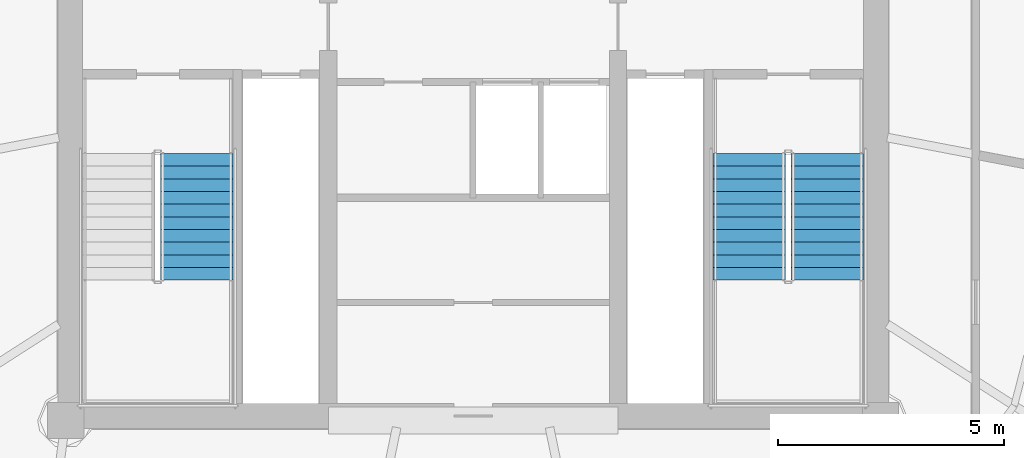
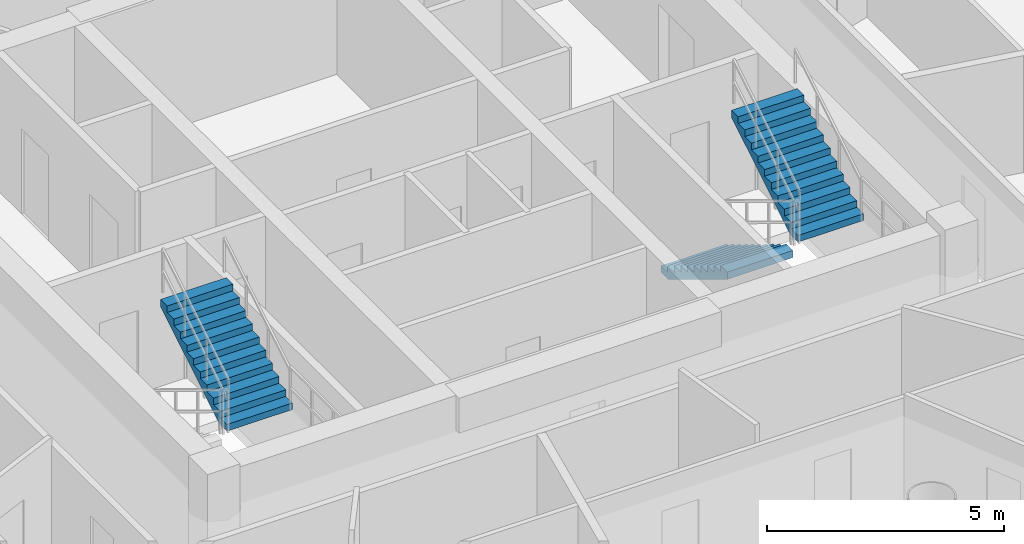
# One storey, part 20 of 23: 3 stair flights, 2 elements without a shape of their own.
"""IFC4 building model written with IfcOpenShell, lengths in metres."""

from ifc_helpers import new_model, si_unit, direction, frame, origin, place, context, subcontext, project, spatial, polyline, outline, extrude, material, type_object, element, aggregate, save


model = new_model("IFC4")

# Units and contexts
model_context = context("Model", 3, precision=1e-05, world=origin(), true_north=direction((-0.2419218956, 0.970295726276)))
body_context = subcontext(model_context, "Body", "Model", "MODEL_VIEW")
ifc_project = project(units=[si_unit("LENGTHUNIT", "METRE"), si_unit("AREAUNIT", "SQUARE_METRE"), si_unit("VOLUMEUNIT", "CUBIC_METRE"), si_unit("PLANEANGLEUNIT", "RADIAN"), si_unit("MASSUNIT", "GRAM", prefix="KILO")], contexts=[model_context])

# Site, building, storey
site_placement = place(None, origin())
site = spatial("IfcSite", under=ifc_project, at=site_placement, CompositionType="ELEMENT")
building_placement = place(site_placement, origin())
building = spatial("IfcBuilding", under=site, at=building_placement, Name="Cobrevalo Terracotta Tower", CompositionType="ELEMENT")
storey_placement = place(building_placement, frame((0.0, 0.0, 263.199951171875)))
storey = spatial("IfcBuildingStorey", under=building, at=storey_placement, Name="L69", CompositionType="ELEMENT", Elevation=263.199951171875)

# Stair, stair flight
ifc_material = material(Name="Concrete C50", Category="concrete")
stair_type = type_object("IfcStairType", Name="Core protected escape dogleg stair 1600", PredefinedType="HALF_TURN_STAIR", material=ifc_material)
stair_1_placement = place(storey_placement, origin())
stair_1 = element("IfcStair", 1, at=stair_1_placement, inside=storey, type_object=stair_type, Name="L69 Protected exit stair ST-1", PredefinedType="HALF_TURN_STAIR")
stair_flight_type = type_object("IfcStairFlightType", Name="Core protected escape dogleg stair 1600 flight", PredefinedType="STRAIGHT", material=ifc_material)
stair_flight_1_placement = place(storey_placement, frame((31.89501953125, 21.89990234375, 1.875), z_axis=(0.0, 0.0, 1.0), x_axis=(0.0, 1.0, 0.0)))
stair_flight_1 = element("IfcStairFlight", 2, at=stair_flight_1_placement, type_object=stair_flight_type, Name="ST-1 flight 2", NumberOfRisers=11, NumberOfTreads=10, PredefinedType="STRAIGHT", RiserHeight=0.170454545, TreadLength=0.28, context=body_context, shape_type="SweptSolid", body=[
    extrude(outline(polyline([(0.0, 0.0), (0.0, 0.17041015625), (0.280029296875, 0.17041015625), (0.280029296875, 0.3408203125), (0.56005859375, 0.3408203125), (0.56005859375, 0.511474609375), (0.840087890625, 0.511474609375), (0.840087890625, 0.681884765625), (1.1201171875, 0.681884765625), (1.1201171875, 0.852294921875), (1.39990234375, 0.852294921875), (1.39990234375, 1.022705078125), (1.679931640625, 1.022705078125), (1.679931640625, 1.193115234375), (1.9599609375, 1.193115234375), (1.9599609375, 1.363525390625), (2.239990234375, 1.363525390625), (2.239990234375, 1.5341796875), (2.52001953125, 1.5341796875), (2.52001953125, 1.70458984375), (2.800048828125, 1.70458984375), (2.800048828125, 1.875), (2.800048828125, 1.517333984375), (0.3076171875, 0.0), (0.0, 0.0)])), frame((0.0, 0.800048828125, 0.0), z_axis=(0.0, -1.0, 0.0), x_axis=(1.0, 0.0, 0.0)), (0.0, 0.0, 1.0), 1.60009765625),
])
aggregate(stair_1, [stair_flight_1])

# Stair, stair flights
stair_2_placement = place(storey_placement, origin())
stair_2 = element("IfcStair", 3, at=stair_2_placement, inside=storey, type_object=stair_type, Name="L69 Protected exit stair ST-2", PredefinedType="HALF_TURN_STAIR")
stair_flight_2_placement = place(storey_placement, frame((44.10498046875, 24.699951171875, 0.0), z_axis=(0.0, 0.0, 1.0), x_axis=(0.0, -1.0, 0.0)))
stair_flight_2 = element("IfcStairFlight", 4, at=stair_flight_2_placement, type_object=stair_flight_type, Name="ST-2 flight 1", NumberOfRisers=11, NumberOfTreads=10, PredefinedType="STRAIGHT", RiserHeight=0.170454545, TreadLength=0.28, context=body_context, shape_type="SweptSolid", body=[
    extrude(outline(polyline([(0.0, 0.0), (0.0, 0.17041015625), (0.280029296875, 0.17041015625), (0.280029296875, 0.3408203125), (0.56005859375, 0.3408203125), (0.56005859375, 0.511474609375), (0.840087890625, 0.511474609375), (0.840087890625, 0.681884765625), (1.1201171875, 0.681884765625), (1.1201171875, 0.852294921875), (1.39990234375, 0.852294921875), (1.39990234375, 1.022705078125), (1.679931640625, 1.022705078125), (1.679931640625, 1.193115234375), (1.9599609375, 1.193115234375), (1.9599609375, 1.363525390625), (2.239990234375, 1.363525390625), (2.239990234375, 1.5341796875), (2.52001953125, 1.5341796875), (2.52001953125, 1.70458984375), (2.800048828125, 1.70458984375), (2.800048828125, 1.875), (2.800048828125, 1.517333984375), (0.3076171875, 0.0), (0.0, 0.0)])), frame((0.0, 0.800048828125, 0.0), z_axis=(0.0, -1.0, 0.0), x_axis=(1.0, 0.0, 0.0)), (0.0, 0.0, 1.0), 1.60009765625),
])
stair_flight_3_placement = place(storey_placement, frame((45.824951171875, 21.89990234375, 1.875), z_axis=(0.0, 0.0, 1.0), x_axis=(0.0, 1.0, 0.0)))
stair_flight_3 = element("IfcStairFlight", 5, at=stair_flight_3_placement, type_object=stair_flight_type, Name="ST-2 flight 2", NumberOfRisers=11, NumberOfTreads=10, PredefinedType="STRAIGHT", RiserHeight=0.170454545, TreadLength=0.28, context=body_context, shape_type="SweptSolid", body=[
    extrude(outline(polyline([(0.0, 0.0), (0.0, 0.17041015625), (0.280029296875, 0.17041015625), (0.280029296875, 0.3408203125), (0.56005859375, 0.3408203125), (0.56005859375, 0.511474609375), (0.840087890625, 0.511474609375), (0.840087890625, 0.681884765625), (1.1201171875, 0.681884765625), (1.1201171875, 0.852294921875), (1.39990234375, 0.852294921875), (1.39990234375, 1.022705078125), (1.679931640625, 1.022705078125), (1.679931640625, 1.193115234375), (1.9599609375, 1.193115234375), (1.9599609375, 1.363525390625), (2.239990234375, 1.363525390625), (2.239990234375, 1.5341796875), (2.52001953125, 1.5341796875), (2.52001953125, 1.70458984375), (2.800048828125, 1.70458984375), (2.800048828125, 1.875), (2.800048828125, 1.517333984375), (0.3076171875, 0.0), (0.0, 0.0)])), frame((0.0, 0.800048828125, 0.0), z_axis=(0.0, -1.0, 0.0), x_axis=(1.0, 0.0, 0.0)), (0.0, 0.0, 1.0), 1.60009765625),
])
aggregate(stair_2, [stair_flight_2, stair_flight_3])

save(model, "model.ifc")
